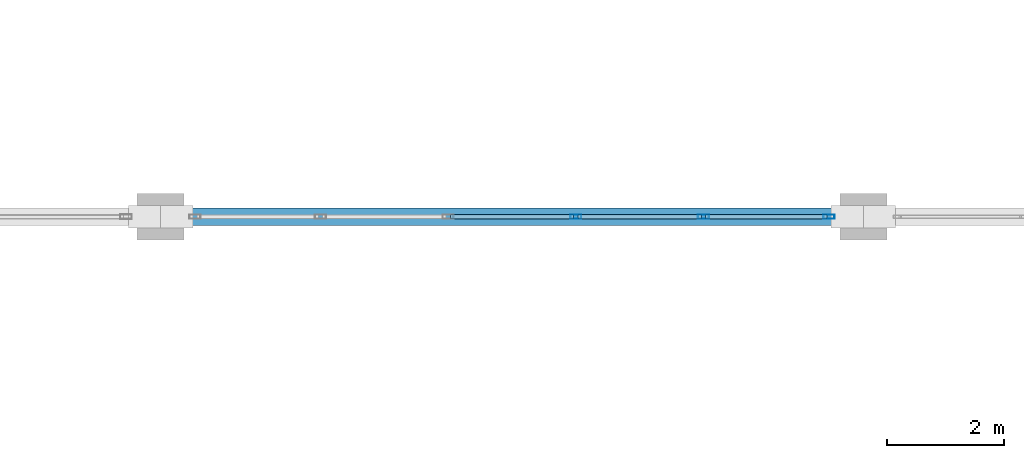
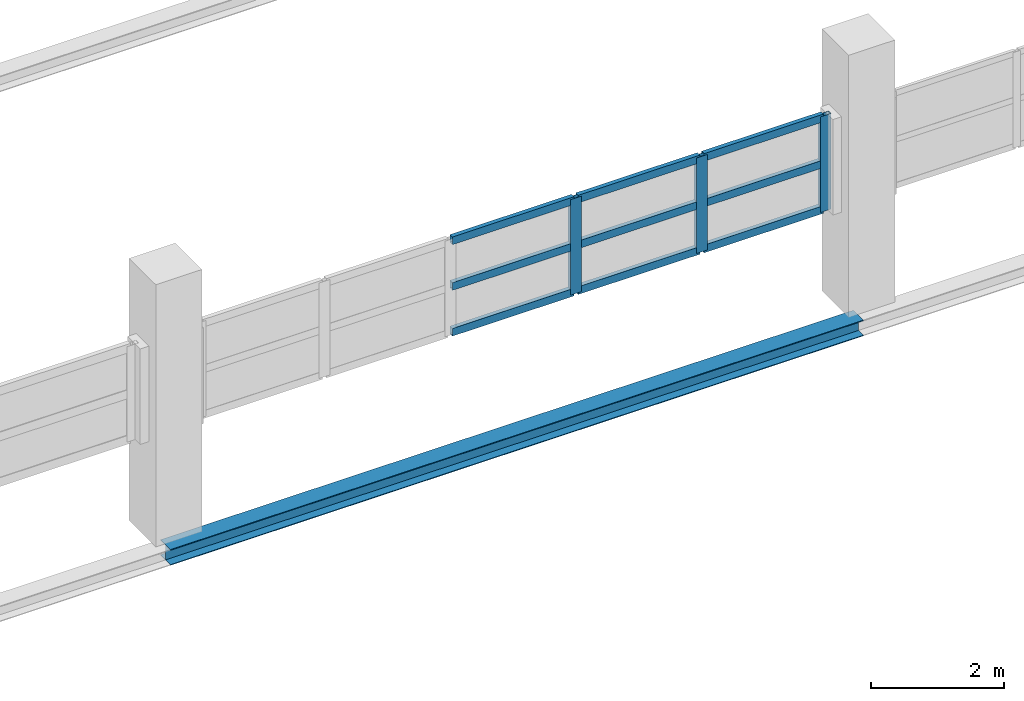
# One storey, part 51 of 86: 12 members, 1 beam, 1 element without a shape of its own.
"""IFC4 building model written with IfcOpenShell, lengths in metres."""

from ifc_helpers import new_model, si_unit, direction, frame, origin, origin_2d, place, context, subcontext, project, spatial, hollow_rectangle, i_section, extrude, material, layer, layer_set, material_profile, profile_set, type_object, element, aggregate, save


model = new_model("IFC4")

# Units and contexts
model_context = context("Model", 3, precision=1e-05, world=origin(), true_north=direction((0.0, 1.0)))
body_context = subcontext(model_context, "Body", "Model", "MODEL_VIEW")
ifc_project = project(units=[si_unit("LENGTHUNIT", "METRE"), si_unit("AREAUNIT", "SQUARE_METRE"), si_unit("VOLUMEUNIT", "CUBIC_METRE"), si_unit("PLANEANGLEUNIT", "RADIAN"), si_unit("MASSUNIT", "GRAM", prefix="KILO")], contexts=[model_context])

# Site, building, storey
site_placement = place(None, origin())
site = spatial("IfcSite", under=ifc_project, at=site_placement, CompositionType="ELEMENT")
building_placement = place(site_placement, origin())
building = spatial("IfcBuilding", under=site, at=building_placement, Name="Zilviju Railside Exhibition Hall", CompositionType="ELEMENT")
storey_placement = place(building_placement, frame((0.0, 0.0, 12.60009765625)))
storey = spatial("IfcBuildingStorey", under=building, at=storey_placement, Name="L04", CompositionType="ELEMENT", Elevation=12.60009765625)

# Beam
ifc_material_1 = material(Name="Steel S355J2", Category="steel")
ifc_material_profile_1 = material_profile(ifc_material_1, i_section(OverallWidth=0.300048828125, OverallDepth=0.2900390625, WebThickness=0.008544921875, FlangeThickness=0.013916015625, at=origin_2d()), Name="HEA 300")
ifc_profile_set_1 = profile_set([ifc_material_profile_1], Name="Steel S355J2")
beam_type = type_object("IfcBeamType", Name="BM-HEA300", PredefinedType="SPANDREL", material=ifc_profile_set_1)
beam_placement = place(storey_placement, frame((84.0, 138.0, -0.485107421875), z_axis=(1.0, 0.0, 0.0), x_axis=(0.0, 1.0, 0.0)))
element("IfcBeam", 1, at=beam_placement, inside=storey, type_object=beam_type, Name="Primary Girder L04 Y=138.0 (84.0..96.0)", PredefinedType="SPANDREL", context=body_context, shape_type="SweptSolid", body=[
    extrude(i_section(OverallWidth=0.300048828125, OverallDepth=0.2900390625, WebThickness=0.008544921875, FlangeThickness=0.013916015625, at=origin_2d()), origin(), (0.0, 0.0, 1.0), 12.0),
])

# Curtain wall, members
ifc_material_2 = material(Name="Thermally broken aluminium-steel triple-glazed curtain wall", Category="steel")
ifc_layer = layer(ifc_material_2, 0.179931640625)
ifc_layer_set = layer_set([ifc_layer], Name="Thermally broken aluminium-steel triple-glazed curtain wall")
curtain_wall_type = type_object("IfcCurtainWallType", Name="CW-BAY-01", PredefinedType="USERDEFINED", material=ifc_layer_set)
curtain_wall_placement = place(storey_placement, origin())
curtain_wall = element("IfcCurtainWall", 2, at=curtain_wall_placement, inside=storey, type_object=curtain_wall_type, Name="North Hall Clerestory Curtain Wall L04 (84..96)", ObjectType="GLAZED CURTAIN WALL", PredefinedType="USERDEFINED")
ifc_material_3 = material(Name="Thermally broken anodized aluminium mullion", Category="aluminium")
ifc_material_profile_2 = material_profile(ifc_material_3, hollow_rectangle(XDim=0.074951171875, YDim=0.18994140625, WallThickness=0.0048828125, at=origin_2d()), Name="MULLION 190x75x5")
ifc_profile_set_2 = profile_set([ifc_material_profile_2], Name="Thermally broken anodized aluminium mullion")
member_type_1 = type_object("IfcMemberType", Name="CWM-75x190", PredefinedType="MULLION", material=ifc_profile_set_2)
member_1_placement = place(storey_placement, frame((91.090087890625, 138.0, 1.7998046875), z_axis=(0.0, 0.0, 1.0), x_axis=(0.0, 1.0, 0.0)))
member_1 = element("IfcMember", 3, at=member_1_placement, type_object=member_type_1, Name="CW-01 mullion 4", PredefinedType="MULLION", context=body_context, shape_type="SweptSolid", body=[
    extrude(hollow_rectangle(XDim=0.074951171875, YDim=0.18994140625, WallThickness=0.0048828125, at=origin_2d()), origin(), (0.0, 0.0, 1.0), 1.75),
])
member_2_placement = place(storey_placement, frame((93.27001953125, 138.0, 1.7998046875), z_axis=(0.0, 0.0, 1.0), x_axis=(0.0, 1.0, 0.0)))
member_2 = element("IfcMember", 4, at=member_2_placement, type_object=member_type_1, Name="CW-01 mullion 5", PredefinedType="MULLION", context=body_context, shape_type="SweptSolid", body=[
    extrude(hollow_rectangle(XDim=0.074951171875, YDim=0.18994140625, WallThickness=0.0048828125, at=origin_2d()), origin(), (0.0, 0.0, 1.0), 1.75),
])
member_3_placement = place(storey_placement, frame((95.41259765625, 138.0, 1.7998046875), z_axis=(0.0, 0.0, 1.0), x_axis=(0.0, 1.0, 0.0)))
member_3 = element("IfcMember", 5, at=member_3_placement, type_object=member_type_1, Name="CW-01 mullion 6", PredefinedType="MULLION", context=body_context, shape_type="SweptSolid", body=[
    extrude(hollow_rectangle(XDim=0.074951171875, YDim=0.18994140625, WallThickness=0.0048828125, at=origin_2d()), origin(), (0.0, 0.0, 1.0), 1.75),
])
ifc_material_4 = material(Name="Thermally broken anodized aluminium transom", Category="aluminium")
ifc_material_profile_3 = material_profile(ifc_material_4, hollow_rectangle(XDim=0.074951171875, YDim=0.139892578125, WallThickness=0.0048828125, at=origin_2d()), Name="TRANSOM 140x75x5")
ifc_profile_set_3 = profile_set([ifc_material_profile_3], Name="Thermally broken anodized aluminium transom")
member_type_2 = type_object("IfcMemberType", Name="CWT-75x140", PredefinedType="USERDEFINED", material=ifc_profile_set_3)
member_4_placement = place(storey_placement, frame((88.947509765625, 138.0, 1.83740234375), z_axis=(1.0, 0.0, 0.0), x_axis=(0.0, 1.0, 0.0)))
member_4 = element("IfcMember", 6, at=member_4_placement, type_object=member_type_2, Name="CW-01 transom 3.1", ObjectType="TRANSOM", PredefinedType="USERDEFINED", context=body_context, shape_type="SweptSolid", body=[
    extrude(hollow_rectangle(XDim=0.074951171875, YDim=0.139892578125, WallThickness=0.0048828125, at=origin_2d()), origin(), (0.0, 0.0, 1.0), 2.10498046875),
])
member_5_placement = place(storey_placement, frame((88.947509765625, 138.0, 2.6748046875), z_axis=(1.0, 0.0, 0.0), x_axis=(0.0, 1.0, 0.0)))
member_5 = element("IfcMember", 7, at=member_5_placement, type_object=member_type_2, Name="CW-01 transom 3.2", ObjectType="TRANSOM", PredefinedType="USERDEFINED", context=body_context, shape_type="SweptSolid", body=[
    extrude(hollow_rectangle(XDim=0.074951171875, YDim=0.139892578125, WallThickness=0.0048828125, at=origin_2d()), origin(), (0.0, 0.0, 1.0), 2.10498046875),
])
member_6_placement = place(storey_placement, frame((88.947509765625, 138.0, 3.512451171875), z_axis=(1.0, 0.0, 0.0), x_axis=(0.0, 1.0, 0.0)))
member_6 = element("IfcMember", 8, at=member_6_placement, type_object=member_type_2, Name="CW-01 transom 3.3", ObjectType="TRANSOM", PredefinedType="USERDEFINED", context=body_context, shape_type="SweptSolid", body=[
    extrude(hollow_rectangle(XDim=0.074951171875, YDim=0.139892578125, WallThickness=0.0048828125, at=origin_2d()), origin(), (0.0, 0.0, 1.0), 2.10498046875),
])
member_7_placement = place(storey_placement, frame((91.12744140625, 138.0, 1.83740234375), z_axis=(1.0, 0.0, 0.0), x_axis=(0.0, 1.0, 0.0)))
member_7 = element("IfcMember", 9, at=member_7_placement, type_object=member_type_2, Name="CW-01 transom 4.1", ObjectType="TRANSOM", PredefinedType="USERDEFINED", context=body_context, shape_type="SweptSolid", body=[
    extrude(hollow_rectangle(XDim=0.074951171875, YDim=0.139892578125, WallThickness=0.0048828125, at=origin_2d()), origin(), (0.0, 0.0, 1.0), 2.10498046875),
])
member_8_placement = place(storey_placement, frame((91.12744140625, 138.0, 2.6748046875), z_axis=(1.0, 0.0, 0.0), x_axis=(0.0, 1.0, 0.0)))
member_8 = element("IfcMember", 10, at=member_8_placement, type_object=member_type_2, Name="CW-01 transom 4.2", ObjectType="TRANSOM", PredefinedType="USERDEFINED", context=body_context, shape_type="SweptSolid", body=[
    extrude(hollow_rectangle(XDim=0.074951171875, YDim=0.139892578125, WallThickness=0.0048828125, at=origin_2d()), origin(), (0.0, 0.0, 1.0), 2.10498046875),
])
member_9_placement = place(storey_placement, frame((91.12744140625, 138.0, 3.512451171875), z_axis=(1.0, 0.0, 0.0), x_axis=(0.0, 1.0, 0.0)))
member_9 = element("IfcMember", 11, at=member_9_placement, type_object=member_type_2, Name="CW-01 transom 4.3", ObjectType="TRANSOM", PredefinedType="USERDEFINED", context=body_context, shape_type="SweptSolid", body=[
    extrude(hollow_rectangle(XDim=0.074951171875, YDim=0.139892578125, WallThickness=0.0048828125, at=origin_2d()), origin(), (0.0, 0.0, 1.0), 2.10498046875),
])
member_10_placement = place(storey_placement, frame((93.3076171875, 138.0, 1.83740234375), z_axis=(1.0, 0.0, 0.0), x_axis=(0.0, 1.0, 0.0)))
member_10 = element("IfcMember", 12, at=member_10_placement, type_object=member_type_2, Name="CW-01 transom 5.1", ObjectType="TRANSOM", PredefinedType="USERDEFINED", context=body_context, shape_type="SweptSolid", body=[
    extrude(hollow_rectangle(XDim=0.074951171875, YDim=0.139892578125, WallThickness=0.0048828125, at=origin_2d()), origin(), (0.0, 0.0, 1.0), 2.0673828125),
])
member_11_placement = place(storey_placement, frame((93.3076171875, 138.0, 2.6748046875), z_axis=(1.0, 0.0, 0.0), x_axis=(0.0, 1.0, 0.0)))
member_11 = element("IfcMember", 13, at=member_11_placement, type_object=member_type_2, Name="CW-01 transom 5.2", ObjectType="TRANSOM", PredefinedType="USERDEFINED", context=body_context, shape_type="SweptSolid", body=[
    extrude(hollow_rectangle(XDim=0.074951171875, YDim=0.139892578125, WallThickness=0.0048828125, at=origin_2d()), origin(), (0.0, 0.0, 1.0), 2.0673828125),
])
member_12_placement = place(storey_placement, frame((93.3076171875, 138.0, 3.512451171875), z_axis=(1.0, 0.0, 0.0), x_axis=(0.0, 1.0, 0.0)))
member_12 = element("IfcMember", 14, at=member_12_placement, type_object=member_type_2, Name="CW-01 transom 5.3", ObjectType="TRANSOM", PredefinedType="USERDEFINED", context=body_context, shape_type="SweptSolid", body=[
    extrude(hollow_rectangle(XDim=0.074951171875, YDim=0.139892578125, WallThickness=0.0048828125, at=origin_2d()), origin(), (0.0, 0.0, 1.0), 2.0673828125),
])
aggregate(curtain_wall, [member_1, member_2, member_3, member_4, member_5, member_6, member_7, member_8, member_9, member_10, member_11, member_12])

save(model, "model.ifc")
